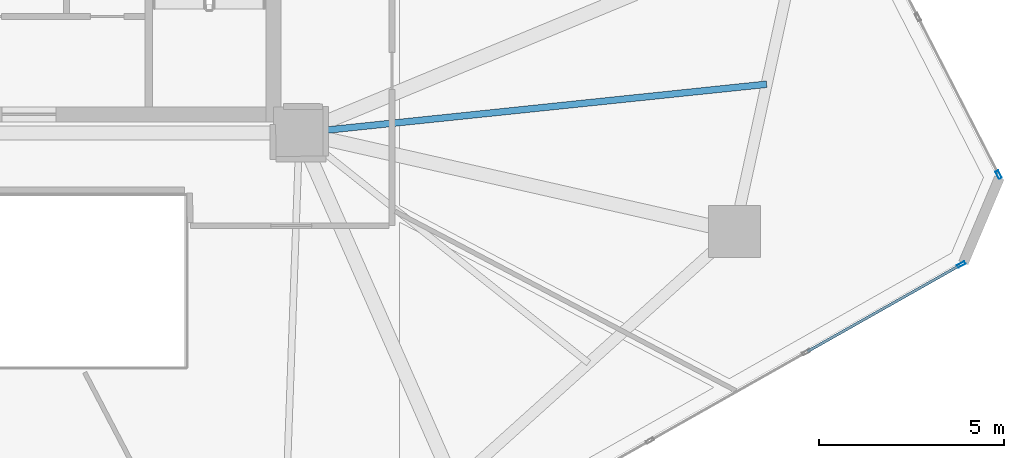
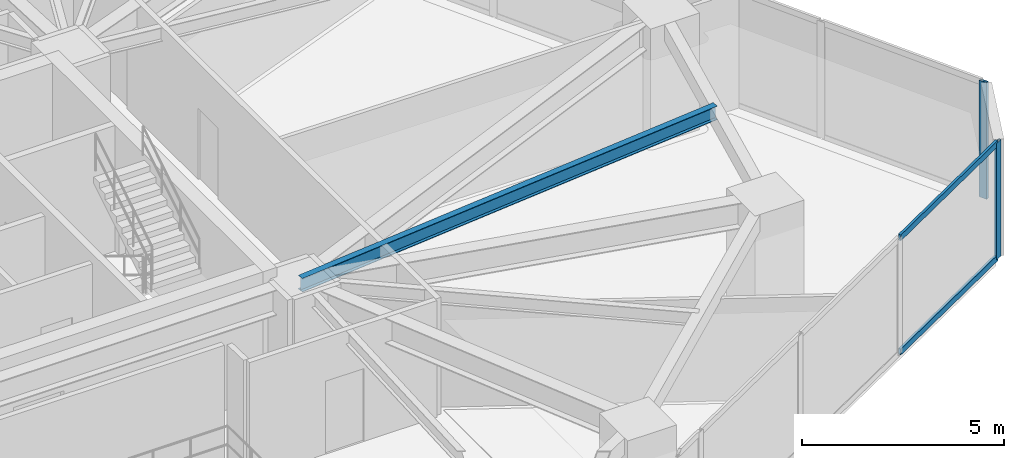
# One storey, part 10 of 23: 4 members, 1 beam, 2 elements without a shape of their own.
"""IFC4 building model written with IfcOpenShell, lengths in metres."""

from ifc_helpers import new_model, si_unit, direction, frame, origin, origin_2d, place, context, subcontext, project, spatial, hollow_rectangle, i_section, extrude, source, transform, mapped, material, layer, layer_set, material_profile, profile_set, type_object, type_shapes, element, aggregate, save


model = new_model("IFC4")

# Units and contexts
model_context = context("Model", 3, precision=1e-05, world=origin(), true_north=direction((0.0, 1.0)))
body_context = subcontext(model_context, "Body", "Model", "MODEL_VIEW")
ifc_project = project(units=[si_unit("LENGTHUNIT", "METRE"), si_unit("AREAUNIT", "SQUARE_METRE"), si_unit("VOLUMEUNIT", "CUBIC_METRE"), si_unit("PLANEANGLEUNIT", "RADIAN"), si_unit("MASSUNIT", "GRAM", prefix="KILO")], contexts=[model_context])

# Site, building, storey
site_placement = place(None, origin())
site = spatial("IfcSite", under=ifc_project, at=site_placement, CompositionType="ELEMENT")
building_placement = place(site_placement, origin())
building = spatial("IfcBuilding", under=site, at=building_placement, Name="Talar Marvaseh", CompositionType="ELEMENT")
storey_placement = place(building_placement, frame((0.0, 0.0, 46.800048828125)))
storey = spatial("IfcBuildingStorey", under=building, at=storey_placement, Name="L11", CompositionType="ELEMENT", Elevation=46.800048828125)

# Beam
ifc_material_1 = material(Name="Steel S355", Category="steel")
ifc_material_profile_1 = material_profile(ifc_material_1, i_section(OverallWidth=0.179931640625, OverallDepth=0.4130859375, WebThickness=0.009765625, FlangeThickness=0.01611328125, at=origin_2d()), Name="W410x75")
ifc_profile_set_1 = profile_set([ifc_material_profile_1], Name="Steel S355")
beam_type = type_object("IfcBeamType", Name="Zone 1 Secondary Floor Joist W410x75", PredefinedType="JOIST", material=ifc_profile_set_1)
beam_placement = place(storey_placement, frame((45.906494140625, 26.81396484375, 3.3134765625), z_axis=(-0.994611955975, -0.103668013538, 0.0), x_axis=(0.103668013538, -0.994611955975, 0.0)))
element("IfcBeam", 1, at=beam_placement, inside=storey, type_object=beam_type, Name="L11 Zone 1 Secondary Floor Joist W410x75", PredefinedType="JOIST", context=body_context, shape_type="SweptSolid", body=[
    extrude(i_section(OverallWidth=0.179931640625, OverallDepth=0.4130859375, WebThickness=0.009765625, FlangeThickness=0.01611328125, at=origin_2d()), origin(), (0.0, 0.0, 1.0), 12.6748046875),
])

# Curtain wall, member
ifc_material_2 = material(Name="Architectural Aluminium", Category="aluminium")
ifc_layer = layer(ifc_material_2, 0.219970703125)
ifc_layer_set = layer_set([ifc_layer], Name="Architectural Aluminium")
curtain_wall_type = type_object("IfcCurtainWallType", Name="Unitised Low-E Museum Curtain Wall Z1", PredefinedType="NOTDEFINED", material=ifc_layer_set)
curtain_wall_1_placement = place(storey_placement, origin())
curtain_wall_1 = element("IfcCurtainWall", 2, at=curtain_wall_1_placement, inside=storey, type_object=curtain_wall_type, Name="L11 Unitised Low-E Museum Curtain Wall Z1", PredefinedType="NOTDEFINED")
ifc_material_profile_2 = material_profile(ifc_material_2, hollow_rectangle(XDim=0.080078125, YDim=0.219970703125, WallThickness=0.0048828125, at=origin_2d()), Name="RHS220x80x5")
ifc_profile_set_2 = profile_set([ifc_material_profile_2], Name="Architectural Aluminium")
member_type_1 = type_object("IfcMemberType", Name="Unitised Curtain Wall Heavy Mullion RHS220x80x5", PredefinedType="MULLION", material=ifc_profile_set_2)
shared_shape_1 = source(origin(), body_context, "Body", "SweptSolid", [
    extrude(hollow_rectangle(XDim=0.080078125, YDim=0.219970703125, WallThickness=0.0048828125, at=origin_2d()), origin(), (0.0, 0.0, 1.0), 3.52001953125),
])
type_shapes(member_type_1, [shared_shape_1])
member_1_placement = place(storey_placement, frame((52.164794921875, 24.374267578125, 0.0), z_axis=(0.0, 0.0, 1.0), x_axis=(0.889785469993, 0.456379028209, 0.0)))
member_1 = element("IfcMember", 3, at=member_1_placement, type_object=member_type_1, Name="CW-Z1 mullion 5", PredefinedType="MULLION", context=body_context, shape_type="MappedRepresentation", body=[
    mapped(shared_shape_1, transform((0.0, 0.0, 0.0), x_axis=(1.0, 0.0, 0.0), y_axis=(0.0, 1.0, 0.0), z_axis=(0.0, 0.0, 1.0), scale=1.0)),
])
aggregate(curtain_wall_1, [member_1])

# Curtain wall, members
curtain_wall_2_placement = place(storey_placement, origin())
curtain_wall_2 = element("IfcCurtainWall", 4, at=curtain_wall_2_placement, inside=storey, type_object=curtain_wall_type, Name="L11 Unitised Low-E Museum Curtain Wall Z1", PredefinedType="NOTDEFINED")
member_2_placement = place(storey_placement, frame((51.15673828125, 21.95166015625, 0.0), z_axis=(0.0, 0.0, 1.0), x_axis=(0.492290771695, -0.870430810636, 0.0)))
member_2 = element("IfcMember", 5, at=member_2_placement, type_object=member_type_1, Name="CW-Z1 mullion 1", PredefinedType="MULLION", context=body_context, shape_type="MappedRepresentation", body=[
    mapped(shared_shape_1, transform((0.0, 0.0, 0.0), x_axis=(1.0, 0.0, 0.0), y_axis=(0.0, 1.0, 0.0), z_axis=(0.0, 0.0, 1.0), scale=1.0)),
])
ifc_material_profile_3 = material_profile(ifc_material_2, hollow_rectangle(XDim=0.074951171875, YDim=0.179931640625, WallThickness=0.0048828125, at=origin_2d()), Name="RHS180x75x5")
ifc_profile_set_3 = profile_set([ifc_material_profile_3], Name="Architectural Aluminium")
member_type_2 = type_object("IfcMemberType", Name="Unitised Curtain Wall Transom RHS180x75x5", PredefinedType="USERDEFINED", material=ifc_profile_set_3)
shared_shape_2 = source(origin(), body_context, "Body", "SweptSolid", [
    extrude(hollow_rectangle(XDim=0.074951171875, YDim=0.179931640625, WallThickness=0.0048828125, at=origin_2d()), origin(), (0.0, 0.0, 1.0), 4.7255859375),
])
type_shapes(member_type_2, [shared_shape_2])
member_3_placement = place(storey_placement, frame((51.1220703125, 21.931884765625, 0.037353515625), z_axis=(-0.870447346303, -0.49226153345, 0.0), x_axis=(0.49226153345, -0.870447346303, 0.0)))
member_3 = element("IfcMember", 6, at=member_3_placement, type_object=member_type_2, Name="CW-Z1 transom 1.1", ObjectType="TRANSOM", PredefinedType="USERDEFINED", context=body_context, shape_type="MappedRepresentation", body=[
    mapped(shared_shape_2, transform((0.0, 0.0, 0.0), x_axis=(1.0, 0.0, 0.0), y_axis=(0.0, 1.0, 0.0), z_axis=(0.0, 0.0, 1.0), scale=1.0)),
])
member_4_placement = place(storey_placement, frame((51.1220703125, 21.931884765625, 3.482421875), z_axis=(-0.870447346303, -0.49226153345, 0.0), x_axis=(0.49226153345, -0.870447346303, 0.0)))
member_4 = element("IfcMember", 7, at=member_4_placement, type_object=member_type_2, Name="CW-Z1 transom 1.2", ObjectType="TRANSOM", PredefinedType="USERDEFINED", context=body_context, shape_type="MappedRepresentation", body=[
    mapped(shared_shape_2, transform((0.0, 0.0, 0.0), x_axis=(1.0, 0.0, 0.0), y_axis=(0.0, 1.0, 0.0), z_axis=(0.0, 0.0, 1.0), scale=1.0)),
])
aggregate(curtain_wall_2, [member_2, member_3, member_4])

save(model, "model.ifc")
